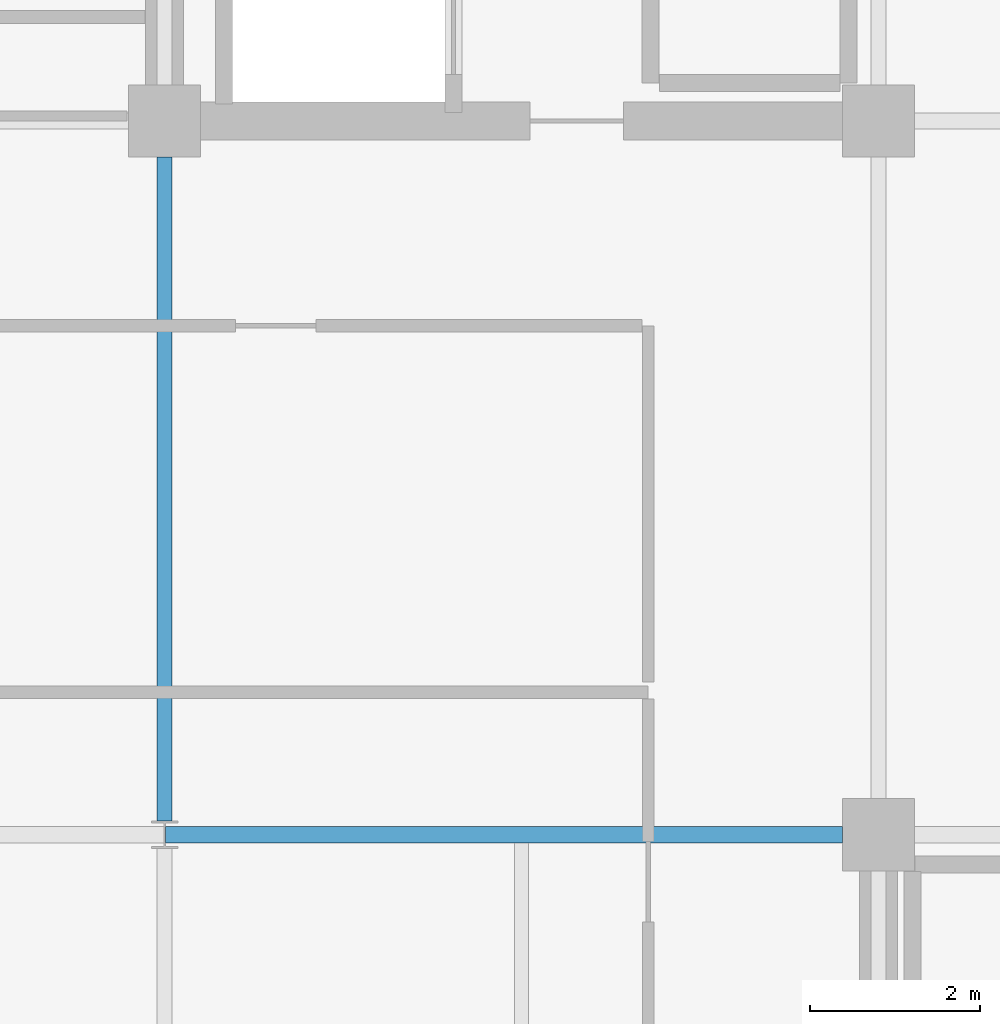
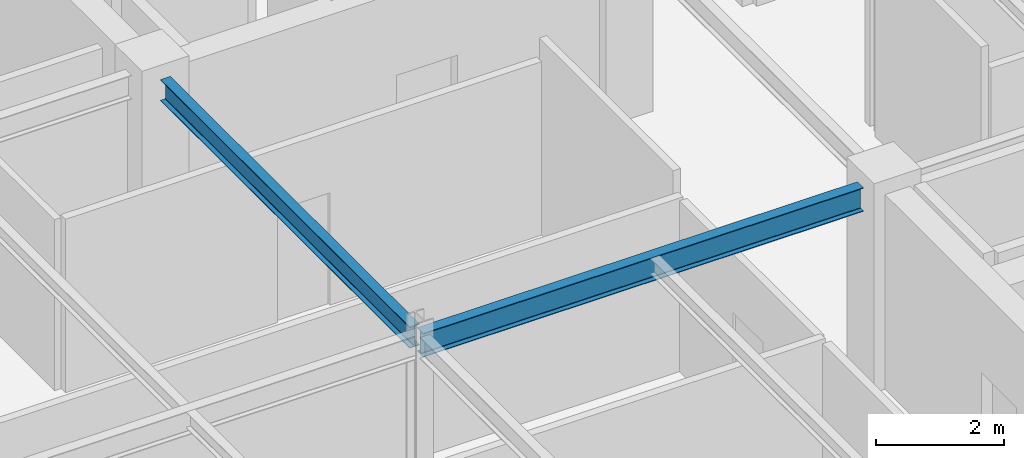
# One storey, part 10 of 25: 2 beams.
"""IFC4 building model written with IfcOpenShell, lengths in metres."""

from ifc_helpers import new_model, si_unit, direction, frame, origin, origin_2d, place, context, subcontext, project, spatial, i_section, extrude, material, material_profile, profile_set, type_object, element, save


model = new_model("IFC4")

# Units and contexts
model_context = context("Model", 3, precision=1e-05, world=origin(), true_north=direction((0.0, 1.0)))
body_context = subcontext(model_context, "Body", "Model", "MODEL_VIEW")
ifc_project = project(units=[si_unit("LENGTHUNIT", "METRE"), si_unit("AREAUNIT", "SQUARE_METRE"), si_unit("VOLUMEUNIT", "CUBIC_METRE"), si_unit("PLANEANGLEUNIT", "RADIAN"), si_unit("MASSUNIT", "GRAM", prefix="KILO")], contexts=[model_context])

# Site, building, storey
site_placement = place(None, origin())
site = spatial("IfcSite", under=ifc_project, at=site_placement, CompositionType="ELEMENT")
building_placement = place(site_placement, origin())
building = spatial("IfcBuilding", under=site, at=building_placement, Name="Nerrivon Quay Data Exchange", CompositionType="ELEMENT")
storey_placement = place(building_placement, frame((0.0, 0.0, 290.199951171875)))
storey = spatial("IfcBuildingStorey", under=building, at=storey_placement, Name="L69", CompositionType="ELEMENT", Elevation=290.199951171875)

# Beams
ifc_material = material(Name="Steel Grade 350", Category="steel")
ifc_material_profile_1 = material_profile(ifc_material, i_section(OverallWidth=0.18994140625, OverallDepth=0.4541015625, WebThickness=0.008544921875, FlangeThickness=0.0126953125, FilletRadius=0.011474609375, at=origin_2d()), Name="460UB67.1")
ifc_profile_set_1 = profile_set([ifc_material_profile_1], Name="Steel Grade 350")
beam_type_1 = type_object("IfcBeamType", Name="BM-G6-460UB67", PredefinedType="BEAM", material=ifc_profile_set_1)
beam_1_placement = place(storey_placement, frame((8.40771484375, 16.800048828125, 3.498046875), z_axis=(1.0, 0.0, 0.0), x_axis=(0.0, 1.0, 0.0)))
element("IfcBeam", 1, at=beam_1_placement, inside=storey, type_object=beam_type_1, Name="L69 EW Girder Y=16.8 (8.4..16.8)", PredefinedType="BEAM", context=body_context, shape_type="SweptSolid", body=[
    extrude(i_section(OverallWidth=0.18994140625, OverallDepth=0.4541015625, WebThickness=0.008544921875, FlangeThickness=0.0126953125, FilletRadius=0.011474609375, at=origin_2d()), origin(), (0.0, 0.0, 1.0), 7.96728515625),
])
ifc_material_profile_2 = material_profile(ifc_material, i_section(OverallWidth=0.177978515625, OverallDepth=0.406005859375, WebThickness=0.0078125, FlangeThickness=0.0126953125, FilletRadius=0.011474609375, at=origin_2d()), Name="410UB59.7")
ifc_profile_set_2 = profile_set([ifc_material_profile_2], Name="Steel Grade 350")
beam_type_2 = type_object("IfcBeamType", Name="BM-J1-410UB60", PredefinedType="JOIST", material=ifc_profile_set_2)
beam_2_placement = place(storey_placement, frame((8.39990234375, 16.96337890625, 3.52197265625), z_axis=(0.0, 1.0, 0.0), x_axis=(-1.0, 0.0, 0.0)))
element("IfcBeam", 2, at=beam_2_placement, inside=storey, type_object=beam_type_2, Name="L69 NS Girder X=8.4 (16.8..25.2)", PredefinedType="JOIST", context=body_context, shape_type="SweptSolid", body=[
    extrude(i_section(OverallWidth=0.177978515625, OverallDepth=0.406005859375, WebThickness=0.0078125, FlangeThickness=0.0126953125, FilletRadius=0.011474609375, at=origin_2d()), origin(), (0.0, 0.0, 1.0), 7.8115234375),
])

save(model, "model.ifc")
